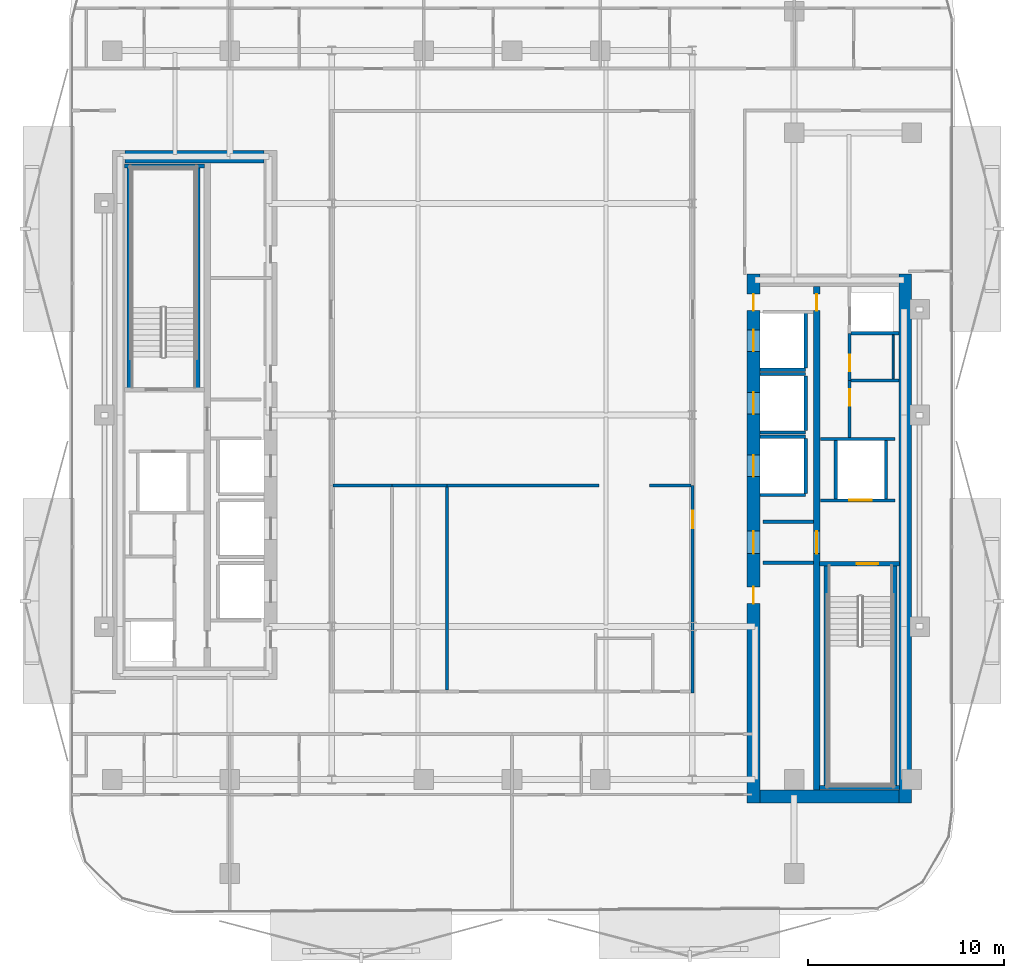
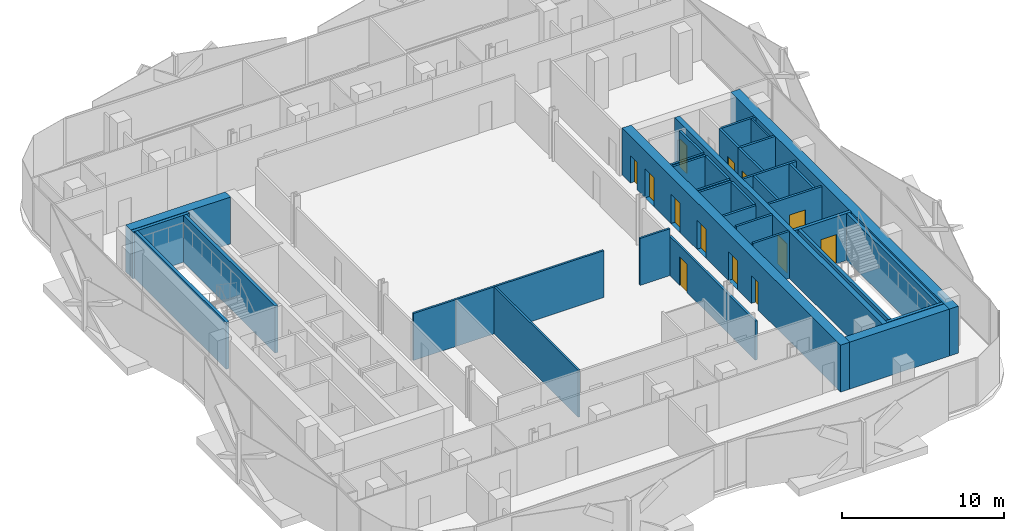
# One storey, part 5 of 17: 37 walls, 13 doors, 13 openings.
"""IFC4 building model written with IfcOpenShell, lengths in metres."""

from ifc_helpers import new_model, si_unit, direction, frame, frame_2d, origin, place, context, subcontext, project, spatial, rectangle, extrude, material, layer, layer_set, type_object, element, fill, save


model = new_model("IFC4")

# Units and contexts
model_context = context("Model", 3, precision=1e-05, world=origin(), true_north=direction((0.0, 1.0)))
body_context = subcontext(model_context, "Body", "Model", "MODEL_VIEW")
ifc_project = project(units=[si_unit("LENGTHUNIT", "METRE"), si_unit("AREAUNIT", "SQUARE_METRE"), si_unit("VOLUMEUNIT", "CUBIC_METRE"), si_unit("PLANEANGLEUNIT", "RADIAN"), si_unit("MASSUNIT", "GRAM", prefix="KILO")], contexts=[model_context])

# Site, building, storey
site_placement = place(None, origin())
site = spatial("IfcSite", under=ifc_project, at=site_placement, CompositionType="ELEMENT")
building_placement = place(site_placement, origin())
building = spatial("IfcBuilding", under=site, at=building_placement, Name="Khairoan Windgate Tower", CompositionType="ELEMENT")
storey_placement = place(building_placement, frame((0.0, 0.0, 165.0)))
storey = spatial("IfcBuildingStorey", under=building, at=storey_placement, Name="L37", CompositionType="ELEMENT", Elevation=165.0)

# Walls
ifc_material_1 = material(Name="Moisture-Resistant Gypsum Partition", Category="gypsum")
ifc_layer_1 = layer(ifc_material_1, 0.10009765625, Name="Moisture-Resistant Gypsum Partition")
ifc_layer_set_1 = layer_set([ifc_layer_1], Name="Moisture-Resistant Gypsum Partition")
wall_type_1 = type_object("IfcWallType", Name="Bathroom Wet-Area Partition Wall", PredefinedType="PARTITIONING", material=ifc_layer_set_1)
wall_1_placement = place(storey_placement, frame((19.449951171875, 4.090087890625, 0.0), z_axis=(0.0, 0.0, 1.0), x_axis=(0.0, -1.0, 0.0)))
element("IfcWall", 1, at=wall_1_placement, inside=storey, type_object=wall_type_1, Name="L37 Wet Room Side Wall 088", PredefinedType="PARTITIONING", context=body_context, shape_type="SweptSolid", body=[
    extrude(rectangle(XDim=2.239990234375, YDim=0.10009765625, at=frame_2d((1.1201171875, 0.0))), origin(), (0.0, 0.0, 1.0), 3.5400390625),
])
ifc_material_2 = material(Name="Concrete C40/50", Category="concrete")
ifc_layer_2 = layer(ifc_material_2, 0.159912109375, Name="Concrete C40/50")
ifc_layer_set_2 = layer_set([ifc_layer_2], Name="Concrete C40/50")
wall_type_2 = type_object("IfcWallType", Name="Core and Hoistway Enclosure Wall", PredefinedType="STANDARD", material=ifc_layer_set_2)
wall_2_placement = place(storey_placement, frame((12.64990234375, 2.31005859375, 0.0), z_axis=(0.0, 0.0, 1.0), x_axis=(1.0, 0.0, 0.0)))
element("IfcWall", 2, at=wall_2_placement, inside=storey, type_object=wall_type_2, Name="L37 Lift PL7 Hoistway Divider S", PredefinedType="STANDARD", context=body_context, shape_type="SweptSolid", body=[
    extrude(rectangle(XDim=2.340087890625, YDim=0.159912109375, at=frame_2d((1.169921875, 0.0))), origin(), (0.0, 0.0, 1.0), 3.5400390625),
])
wall_3_placement = place(storey_placement, frame((14.989990234375, 2.39990234375, 0.0), z_axis=(0.0, 0.0, 1.0), x_axis=(0.0, 1.0, 0.0)))
element("IfcWall", 3, at=wall_3_placement, inside=storey, type_object=wall_type_2, Name="L37 Lift PL7 Hoistway Back Wall", PredefinedType="STANDARD", context=body_context, shape_type="SweptSolid", body=[
    extrude(rectangle(XDim=2.800048828125, YDim=0.159912109375, at=frame_2d((1.39990234375, 0.0))), origin(), (0.0, 0.0, 1.0), 3.5400390625),
])
for number, where, z_axis, x_axis, name in (
    (4, (12.64990234375, -0.889892578125, 0.0), (0.0, 0.0, 1.0), (1.0, 0.0, 0.0), "L37 Lift PL8 Hoistway Divider S"),
    (5, (12.64990234375, 2.090087890625, 0.0), (0.0, 0.0, 1.0), (1.0, 0.0, 0.0), "L37 Lift PL8 Hoistway Divider N"),
):
    element("IfcWall", number, at=place(storey_placement, frame(where, z_axis=z_axis, x_axis=x_axis)), inside=storey, type_object=wall_type_2, Name=name, PredefinedType="STANDARD", context=body_context, shape_type="SweptSolid", body=[
        extrude(rectangle(XDim=2.340087890625, YDim=0.159912109375, at=frame_2d((1.169921875, 0.0))), origin(), (0.0, 0.0, 1.0), 3.5400390625),
    ])
wall_4_placement = place(storey_placement, frame((14.989990234375, -0.800048828125, 0.0), z_axis=(0.0, 0.0, 1.0), x_axis=(0.0, 1.0, 0.0)))
element("IfcWall", 6, at=wall_4_placement, inside=storey, type_object=wall_type_2, Name="L37 Lift PL8 Hoistway Back Wall", PredefinedType="STANDARD", context=body_context, shape_type="SweptSolid", body=[
    extrude(rectangle(XDim=2.800048828125, YDim=0.159912109375, at=frame_2d((1.39990234375, 0.0))), origin(), (0.0, 0.0, 1.0), 3.5400390625),
])
for number, where, z_axis, x_axis, name in (
    (7, (12.64990234375, -4.090087890625, 0.0), (0.0, 0.0, 1.0), (1.0, 0.0, 0.0), "L37 Lift PL9 Hoistway Divider S"),
    (8, (12.64990234375, -1.110107421875, 0.0), (0.0, 0.0, 1.0), (1.0, 0.0, 0.0), "L37 Lift PL9 Hoistway Divider N"),
):
    element("IfcWall", number, at=place(storey_placement, frame(where, z_axis=z_axis, x_axis=x_axis)), inside=storey, type_object=wall_type_2, Name=name, PredefinedType="STANDARD", context=body_context, shape_type="SweptSolid", body=[
        extrude(rectangle(XDim=2.340087890625, YDim=0.159912109375, at=frame_2d((1.169921875, 0.0))), origin(), (0.0, 0.0, 1.0), 3.5400390625),
    ])
wall_5_placement = place(storey_placement, frame((14.989990234375, -4.0, 0.0), z_axis=(0.0, 0.0, 1.0), x_axis=(0.0, 1.0, 0.0)))
element("IfcWall", 9, at=wall_5_placement, inside=storey, type_object=wall_type_2, Name="L37 Lift PL9 Hoistway Back Wall", PredefinedType="STANDARD", context=body_context, shape_type="SweptSolid", body=[
    extrude(rectangle(XDim=2.800048828125, YDim=0.159912109375, at=frame_2d((1.39990234375, 0.0))), origin(), (0.0, 0.0, 1.0), 3.5400390625),
])

# Wall, opening, door
wall_6_placement = place(storey_placement, frame((15.75, -4.360107421875, 0.0), z_axis=(0.0, 0.0, 1.0), x_axis=(1.0, 0.0, 0.0)))
wall_6 = element("IfcWall", 10, at=wall_6_placement, inside=storey, type_object=wall_type_2, Name="L37 Core Shaft Wall SW-FL1-L37", PredefinedType="STANDARD", context=body_context, shape_type="SweptSolid", body=[
    extrude(rectangle(XDim=3.800048828125, YDim=0.159912109375, at=frame_2d((1.89990234375, 0.0))), origin(), (0.0, 0.0, 1.0), 3.5400390625),
])
opening_1_placement = place(wall_6_placement, frame((1.469970703125, 0.0, 0.0)))
opening_1 = element("IfcOpeningElement", 11, at=opening_1_placement, cuts=wall_6, Name="Opening LD-FL", PredefinedType="OPENING", context=body_context, shape_type="SweptSolid", body=[
    extrude(rectangle(XDim=1.14990234375, YDim=2.199951171875, at=frame_2d((0.574951171875, 1.10009765625))), frame((0.0, 0.08984375, 0.0), z_axis=(0.0, -1.0, 0.0), x_axis=(1.0, 0.0, 0.0)), (0.0, 0.0, 1.0), 0.179931640625),
])
ifc_material_3 = material(Name="Steel S355", Category="steel")
door_type_1 = type_object("IfcDoorType", Name="Firefighting Lift Sliding Landing Door LD-FL 1150x2200", OperationType="DOUBLE_DOOR_SLIDING", PredefinedType="DOOR", material=ifc_material_3)
door_1_placement = place(opening_1_placement, origin())
door_1 = element("IfcDoor", 12, at=door_1_placement, inside=storey, type_object=door_type_1, Name="L37 Firefighting Lift FL1 Landing Door", OperationType="DOUBLE_DOOR_SLIDING", OverallHeight=2.199951171875, OverallWidth=1.14990234375, PredefinedType="DOOR", context=body_context, shape_type="SweptSolid", body=[
    extrude(rectangle(XDim=1.14990234375, YDim=2.199951171875, at=frame_2d((0.574951171875, 1.10009765625))), frame((0.0, 0.02490234375, 0.0), z_axis=(0.0, -1.0, 0.0), x_axis=(1.0, 0.0, 0.0)), (0.0, 0.0, 1.0), 0.050048828125),
])
fill(opening_1, door_1)

# Walls
wall_7_placement = place(storey_placement, frame((15.75, -1.219970703125, 0.0), z_axis=(0.0, 0.0, 1.0), x_axis=(1.0, 0.0, 0.0)))
element("IfcWall", 13, at=wall_7_placement, inside=storey, type_object=wall_type_2, Name="L37 Core Shaft Wall SW-FL1T-L37", PredefinedType="STANDARD", context=body_context, shape_type="SweptSolid", body=[
    extrude(rectangle(XDim=3.800048828125, YDim=0.159912109375, at=frame_2d((1.89990234375, 0.0))), origin(), (0.0, 0.0, 1.0), 3.5400390625),
])
for number, where, z_axis, x_axis, name in (
    (14, (16.52001953125, -4.280029296875, 0.0), (0.0, 0.0, 1.0), (0.0, 1.0, 0.0), "L37 Core Shaft Wall SW-FL1W-L37"),
    (15, (19.080078125, -4.280029296875, 0.0), (0.0, 0.0, 1.0), (0.0, 1.0, 0.0), "L37 Core Shaft Wall SW-FL1E-L37"),
):
    element("IfcWall", number, at=place(storey_placement, frame(where, z_axis=z_axis, x_axis=x_axis)), inside=storey, type_object=wall_type_2, Name=name, PredefinedType="STANDARD", context=body_context, shape_type="SweptSolid", body=[
        extrude(rectangle(XDim=2.97998046875, YDim=0.159912109375, at=frame_2d((1.489990234375, 0.0))), origin(), (0.0, 0.0, 1.0), 3.5400390625),
    ])
for number, where, z_axis, x_axis, name in (
    (16, (12.800048828125, -5.449951171875, 0.0), (0.0, 0.0, 1.0), (1.0, 0.0, 0.0), "L37 Core Shaft Wall SW-EV1-L37"),
    (17, (12.800048828125, -7.5400390625, 0.0), (0.0, 0.0, 1.0), (1.0, 0.0, 0.0), "L37 Core Shaft Wall SW-EV2-L37"),
):
    element("IfcWall", number, at=place(storey_placement, frame(where, z_axis=z_axis, x_axis=x_axis)), inside=storey, type_object=wall_type_2, Name=name, PredefinedType="STANDARD", context=body_context, shape_type="SweptSolid", body=[
        extrude(rectangle(XDim=2.599853515625, YDim=0.159912109375, at=frame_2d((1.2998046875, 0.0))), origin(), (0.0, 0.0, 1.0), 3.5400390625),
    ])
ifc_material_4 = material(Name="Acoustic Fire-Rated Gypsum Partition", Category="gypsum")
ifc_layer_3 = layer(ifc_material_4, 0.139892578125, Name="Acoustic Fire-Rated Gypsum Partition")
ifc_layer_set_3 = layer_set([ifc_layer_3], Name="Acoustic Fire-Rated Gypsum Partition")
wall_type_3 = type_object("IfcWallType", Name="Inter-Tenancy Compartment Wall", PredefinedType="PARTITIONING", material=ifc_layer_set_3)
wall_8_placement = place(storey_placement, frame((-9.14501953125, -3.60009765625, 0.0), z_axis=(0.0, 0.0, 1.0), x_axis=(1.0, 0.0, 0.0)))
element("IfcWall", 18, at=wall_8_placement, inside=storey, type_object=wall_type_3, Name="L37 Interior Partition 043", PredefinedType="PARTITIONING", context=body_context, shape_type="SweptSolid", body=[
    extrude(rectangle(XDim=3.02490234375, YDim=0.139892578125, at=frame_2d((1.512451171875, 0.0))), origin(), (0.0, 0.0, 1.0), 3.5400390625),
])
wall_9_placement = place(storey_placement, frame((-3.320068359375, -14.044921875, 0.0), z_axis=(0.0, 0.0, 1.0), x_axis=(0.0, 1.0, 0.0)))
element("IfcWall", 19, at=wall_9_placement, inside=storey, type_object=wall_type_3, Name="L37 Interior Partition 044", PredefinedType="PARTITIONING", context=body_context, shape_type="SweptSolid", body=[
    extrude(rectangle(XDim=10.375, YDim=0.139892578125, at=frame_2d((5.1875, 0.0))), origin(), (0.0, 0.0, 1.0), 3.5400390625),
])
wall_10_placement = place(storey_placement, frame((-6.1201171875, -3.60009765625, 0.0), z_axis=(0.0, 0.0, 1.0), x_axis=(1.0, 0.0, 0.0)))
element("IfcWall", 20, at=wall_10_placement, inside=storey, type_object=wall_type_3, Name="L37 Interior Partition 045", PredefinedType="PARTITIONING", context=body_context, shape_type="SweptSolid", body=[
    extrude(rectangle(XDim=2.800048828125, YDim=0.139892578125, at=frame_2d((1.39990234375, 0.0))), origin(), (0.0, 0.0, 1.0), 3.5400390625),
])
wall_11_placement = place(storey_placement, frame((-3.320068359375, -3.60009765625, 0.0), z_axis=(0.0, 0.0, 1.0), x_axis=(1.0, 0.0, 0.0)))
element("IfcWall", 21, at=wall_11_placement, inside=storey, type_object=wall_type_3, Name="L37 Interior Partition 047", PredefinedType="PARTITIONING", context=body_context, shape_type="SweptSolid", body=[
    extrude(rectangle(XDim=7.760009765625, YDim=0.139892578125, at=frame_2d((3.8798828125, 0.0))), origin(), (0.0, 0.0, 1.0), 3.5400390625),
])
wall_12_placement = place(storey_placement, frame((7.02001953125, -3.60009765625, 0.0), z_axis=(0.0, 0.0, 1.0), x_axis=(1.0, 0.0, 0.0)))
element("IfcWall", 22, at=wall_12_placement, inside=storey, type_object=wall_type_3, Name="L37 Interior Partition 049", PredefinedType="PARTITIONING", context=body_context, shape_type="SweptSolid", body=[
    extrude(rectangle(XDim=2.125, YDim=0.139892578125, at=frame_2d((1.0625, 0.0))), origin(), (0.0, 0.0, 1.0), 3.5400390625),
])

# Wall, opening, door
ifc_material_5 = material(Name="Concrete C40/50", Category="concrete")
ifc_layer_4 = layer(ifc_material_5, 0.159912109375, Name="Concrete C40/50")
ifc_layer_set_4 = layer_set([ifc_layer_4], Name="Concrete C40/50")
wall_type_4 = type_object("IfcWallType", Name="Plant and Refuge Compartment Wall", PredefinedType="PARTITIONING", material=ifc_layer_set_4)
wall_13_placement = place(storey_placement, frame((17.22998046875, 1.77001953125, 0.0), z_axis=(0.0, 0.0, 1.0), x_axis=(0.0, 1.0, 0.0)))
wall_13 = element("IfcWall", 23, at=wall_13_placement, inside=storey, type_object=wall_type_4, Name="L37 Interior Partition 008", PredefinedType="PARTITIONING", context=body_context, shape_type="SweptSolid", body=[
    extrude(rectangle(XDim=2.39990234375, YDim=0.159912109375, at=frame_2d((1.199951171875, 0.0))), origin(), (0.0, 0.0, 1.0), 3.5400390625),
])
opening_2_placement = place(wall_13_placement, frame((0.4599609375, 0.0, 0.0)))
opening_2 = element("IfcOpeningElement", 24, at=opening_2_placement, cuts=wall_13, Name="Opening FD-SRV", PredefinedType="OPENING", context=body_context, shape_type="SweptSolid", body=[
    extrude(rectangle(XDim=0.85009765625, YDim=2.10009765625, at=frame_2d((0.425048828125, 1.050048828125))), frame((0.0, 0.08984375, 0.0), z_axis=(0.0, -1.0, 0.0), x_axis=(1.0, 0.0, 0.0)), (0.0, 0.0, 1.0), 0.179931640625),
])
ifc_material_6 = material(Name="Steel S355", Category="steel")
door_type_2 = type_object("IfcDoorType", Name="Core Service and Riser Fire Door FD-SRV 850x2100", OperationType="NOTDEFINED", PredefinedType="DOOR", material=ifc_material_6)
door_2_placement = place(opening_2_placement, origin())
door_2 = element("IfcDoor", 25, at=door_2_placement, inside=storey, type_object=door_type_2, Name="L37 L37-18-L37-20 Door", OperationType="SINGLE_SWING_RIGHT", OverallHeight=2.10009765625, OverallWidth=0.85009765625, PredefinedType="DOOR", context=body_context, shape_type="SweptSolid", body=[
    extrude(rectangle(XDim=0.85009765625, YDim=2.10009765625, at=frame_2d((0.425048828125, 1.050048828125))), frame((0.0, 0.02490234375, 0.0), z_axis=(0.0, -1.0, 0.0), x_axis=(1.0, 0.0, 0.0)), (0.0, 0.0, 1.0), 0.050048828125),
])
fill(opening_2, door_2)

wall_14_placement = place(storey_placement, frame((17.22998046875, -1.139892578125, 0.0), z_axis=(0.0, 0.0, 1.0), x_axis=(0.0, 1.0, 0.0)))
wall_14 = element("IfcWall", 26, at=wall_14_placement, inside=storey, type_object=wall_type_4, Name="L37 Interior Partition 009", PredefinedType="PARTITIONING", context=body_context, shape_type="SweptSolid", body=[
    extrude(rectangle(XDim=2.909912109375, YDim=0.159912109375, at=frame_2d((1.455078125, 0.0))), origin(), (0.0, 0.0, 1.0), 3.5400390625),
])
opening_3_placement = place(wall_14_placement, frame((1.60009765625, 0.0, 0.0)))
opening_3 = element("IfcOpeningElement", 27, at=opening_3_placement, cuts=wall_14, Name="Opening FD-SRV", PredefinedType="OPENING", context=body_context, shape_type="SweptSolid", body=[
    extrude(rectangle(XDim=0.85009765625, YDim=2.10009765625, at=frame_2d((0.425048828125, 1.050048828125))), frame((0.0, 0.08984375, 0.0), z_axis=(0.0, -1.0, 0.0), x_axis=(1.0, 0.0, 0.0)), (0.0, 0.0, 1.0), 0.179931640625),
])
door_3_placement = place(opening_3_placement, origin())
door_3 = element("IfcDoor", 28, at=door_3_placement, inside=storey, type_object=door_type_2, Name="L37 L37-18-L37-21 Door", OperationType="SINGLE_SWING_LEFT", OverallHeight=2.10009765625, OverallWidth=0.85009765625, PredefinedType="DOOR", context=body_context, shape_type="SweptSolid", body=[
    extrude(rectangle(XDim=0.85009765625, YDim=2.10009765625, at=frame_2d((0.425048828125, 1.050048828125))), frame((0.0, 0.02490234375, 0.0), z_axis=(0.0, -1.0, 0.0), x_axis=(1.0, 0.0, 0.0)), (0.0, 0.0, 1.0), 0.050048828125),
])
fill(opening_3, door_3)

# Walls
for number, where, z_axis, x_axis, name in (
    (29, (17.31005859375, 4.169921875, 0.0), (0.0, 0.0, 1.0), (1.0, 0.0, 0.0), "L37 Interior Partition 010"),
    (30, (17.31005859375, 1.77001953125, 0.0), (0.0, 0.0, 1.0), (1.0, 0.0, 0.0), "L37 Interior Partition 011"),
):
    element("IfcWall", number, at=place(storey_placement, frame(where, z_axis=z_axis, x_axis=x_axis)), inside=storey, type_object=wall_type_4, Name=name, PredefinedType="PARTITIONING", context=body_context, shape_type="SweptSolid", body=[
        extrude(rectangle(XDim=2.43994140625, YDim=0.159912109375, at=frame_2d((1.219970703125, 0.0))), origin(), (0.0, 0.0, 1.0), 3.5400390625),
    ])

# Wall, opening, door
ifc_material_7 = material(Name="Acoustic Fire-Rated Gypsum Partition", Category="gypsum")
ifc_layer_5 = layer(ifc_material_7, 0.14990234375, Name="Acoustic Fire-Rated Gypsum Partition")
ifc_layer_set_5 = layer_set([ifc_layer_5], Name="Acoustic Fire-Rated Gypsum Partition")
wall_type_5 = type_object("IfcWallType", Name="Rated Corridor Partition Wall", PredefinedType="PARTITIONING", material=ifc_layer_set_5)
wall_15_placement = place(storey_placement, frame((9.219970703125, -14.195068359375, 0.0), z_axis=(0.0, 0.0, 1.0), x_axis=(0.0, 1.0, 0.0)))
wall_15 = element("IfcWall", 31, at=wall_15_placement, inside=storey, type_object=wall_type_5, Name="L37 Interior Partition 014", PredefinedType="PARTITIONING", context=body_context, shape_type="SweptSolid", body=[
    extrude(rectangle(XDim=10.594970703125, YDim=0.14990234375, at=frame_2d((5.29736328125, 0.0))), origin(), (0.0, 0.0, 1.0), 2.951904296875),
])
opening_4_placement = place(wall_15_placement, frame((8.418701171875, 0.0, 0.0)))
opening_4 = element("IfcOpeningElement", 32, at=opening_4_placement, cuts=wall_15, Name="Opening FD-ENT", PredefinedType="OPENING", context=body_context, shape_type="SweptSolid", body=[
    extrude(rectangle(XDim=0.89990234375, YDim=2.14990234375, at=frame_2d((0.449951171875, 1.074951171875))), frame((0.0, 0.0849609375, 0.0), z_axis=(0.0, -1.0, 0.0), x_axis=(1.0, 0.0, 0.0)), (0.0, 0.0, 1.0), 0.169921875),
])
ifc_material_8 = material(Name="Timber Fire-Rated Core", Category="wood")
door_type_3 = type_object("IfcDoorType", Name="Unit and Office Fire Entrance Door FD-ENT 900x2150", OperationType="NOTDEFINED", PredefinedType="DOOR", material=ifc_material_8)
door_4_placement = place(opening_4_placement, origin())
door_4 = element("IfcDoor", 33, at=door_4_placement, inside=storey, type_object=door_type_3, Name="L37 L37-29-L37-36 Door", OperationType="SINGLE_SWING_RIGHT", OverallHeight=2.14990234375, OverallWidth=0.89990234375, PredefinedType="DOOR", context=body_context, shape_type="SweptSolid", body=[
    extrude(rectangle(XDim=0.89990234375, YDim=2.14990234375, at=frame_2d((0.449951171875, 1.074951171875))), frame((0.0, 0.02490234375, 0.0), z_axis=(0.0, -1.0, 0.0), x_axis=(1.0, 0.0, 0.0)), (0.0, 0.0, 1.0), 0.050048828125),
])
fill(opening_4, door_4)

# Wall, openings, doors
ifc_material_9 = material(Name="Concrete C60/75", Category="concrete")
ifc_layer_6 = layer(ifc_material_9, 0.64990234375, Name="Concrete C60/75")
ifc_layer_set_6 = layer_set([ifc_layer_6], Name="Concrete C60/75")
wall_type_6 = type_object("IfcWallType", Name="Shear Wall CW-E2 650mm", PredefinedType="SHEAR", material=ifc_layer_set_6)
wall_16_placement = place(storey_placement, frame((12.324951171875, -19.800048828125, 0.0), z_axis=(0.0, 0.0, 1.0), x_axis=(0.0, 1.0, 0.0)))
wall_16 = element("IfcWall", 34, at=wall_16_placement, inside=storey, type_object=wall_type_6, Name="E Core West Shear Wall L37", PredefinedType="SHEAR", context=body_context, shape_type="SweptSolid", body=[
    extrude(rectangle(XDim=27.0, YDim=0.64990234375, at=frame_2d((13.5, 0.0))), origin(), (0.0, 0.0, 1.0), 3.5400390625),
])
opening_5_placement = place(wall_16_placement, frame((23.050048828125, 0.0, 0.0)))
opening_5 = element("IfcOpeningElement", 35, at=opening_5_placement, cuts=wall_16, Name="Opening LD-PL", PredefinedType="OPENING", context=body_context, shape_type="SweptSolid", body=[
    extrude(rectangle(XDim=1.10009765625, YDim=2.199951171875, at=frame_2d((0.550048828125, 1.10009765625))), frame((0.0, 0.3349609375, 0.0), z_axis=(0.0, -1.0, 0.0), x_axis=(1.0, 0.0, 0.0)), (0.0, 0.0, 1.0), 0.669921875),
])
opening_6_placement = place(wall_16_placement, frame((19.85009765625, 0.0, 0.0)))
opening_6 = element("IfcOpeningElement", 36, at=opening_6_placement, cuts=wall_16, Name="Opening LD-PL", PredefinedType="OPENING", context=body_context, shape_type="SweptSolid", body=[
    extrude(rectangle(XDim=1.10009765625, YDim=2.199951171875, at=frame_2d((0.550048828125, 1.10009765625))), frame((0.0, 0.3349609375, 0.0), z_axis=(0.0, -1.0, 0.0), x_axis=(1.0, 0.0, 0.0)), (0.0, 0.0, 1.0), 0.669921875),
])
opening_7_placement = place(wall_16_placement, frame((16.64990234375, 0.0, 0.0)))
opening_7 = element("IfcOpeningElement", 37, at=opening_7_placement, cuts=wall_16, Name="Opening LD-PL", PredefinedType="OPENING", context=body_context, shape_type="SweptSolid", body=[
    extrude(rectangle(XDim=1.10009765625, YDim=2.199951171875, at=frame_2d((0.550048828125, 1.10009765625))), frame((0.0, 0.3349609375, 0.0), z_axis=(0.0, -1.0, 0.0), x_axis=(1.0, 0.0, 0.0)), (0.0, 0.0, 1.0), 0.669921875),
])
opening_8_placement = place(wall_16_placement, frame((10.175048828125, 0.0, 0.0)))
opening_8 = element("IfcOpeningElement", 38, at=opening_8_placement, cuts=wall_16, Name="Opening FD-SRV", PredefinedType="OPENING", context=body_context, shape_type="SweptSolid", body=[
    extrude(rectangle(XDim=0.85009765625, YDim=2.10009765625, at=frame_2d((0.425048828125, 1.050048828125))), frame((0.0, 0.3349609375, 0.0), z_axis=(0.0, -1.0, 0.0), x_axis=(1.0, 0.0, 0.0)), (0.0, 0.0, 1.0), 0.669921875),
])
opening_9_placement = place(wall_16_placement, frame((12.72509765625, 0.0, 0.0)))
opening_9 = element("IfcOpeningElement", 39, at=opening_9_placement, cuts=wall_16, Name="Opening FD-FFL", PredefinedType="OPENING", context=body_context, shape_type="SweptSolid", body=[
    extrude(rectangle(XDim=1.14990234375, YDim=2.199951171875, at=frame_2d((0.574951171875, 1.10009765625))), frame((0.0, 0.3349609375, 0.0), z_axis=(0.0, -1.0, 0.0), x_axis=(1.0, 0.0, 0.0)), (0.0, 0.0, 1.0), 0.669921875),
])
opening_10_placement = place(wall_16_placement, frame((25.125, 0.0, 0.0)))
opening_10 = element("IfcOpeningElement", 40, at=opening_10_placement, cuts=wall_16, Name="Opening FD-SRV", PredefinedType="OPENING", context=body_context, shape_type="SweptSolid", body=[
    extrude(rectangle(XDim=0.85009765625, YDim=2.10009765625, at=frame_2d((0.425048828125, 1.050048828125))), frame((0.0, 0.3349609375, 0.0), z_axis=(0.0, -1.0, 0.0), x_axis=(1.0, 0.0, 0.0)), (0.0, 0.0, 1.0), 0.669921875),
])
door_5_placement = place(opening_8_placement, origin())
door_5 = element("IfcDoor", 41, at=door_5_placement, inside=storey, type_object=door_type_2, Name="L37 East Core Service Room Door 1", OperationType="SINGLE_SWING_LEFT", OverallHeight=2.10009765625, OverallWidth=0.85009765625, PredefinedType="DOOR", context=body_context, shape_type="SweptSolid", body=[
    extrude(rectangle(XDim=0.85009765625, YDim=2.10009765625, at=frame_2d((0.425048828125, 1.050048828125))), frame((0.0, 0.02490234375, 0.0), z_axis=(0.0, -1.0, 0.0), x_axis=(1.0, 0.0, 0.0)), (0.0, 0.0, 1.0), 0.050048828125),
])
fill(opening_8, door_5)
door_6_placement = place(opening_10_placement, origin())
door_6 = element("IfcDoor", 42, at=door_6_placement, inside=storey, type_object=door_type_2, Name="L37 East Core Service Vestibule Outer Door", OperationType="SINGLE_SWING_RIGHT", OverallHeight=2.10009765625, OverallWidth=0.85009765625, PredefinedType="DOOR", context=body_context, shape_type="SweptSolid", body=[
    extrude(rectangle(XDim=0.85009765625, YDim=2.10009765625, at=frame_2d((0.425048828125, 1.050048828125))), frame((0.0, 0.02490234375, 0.0), z_axis=(0.0, -1.0, 0.0), x_axis=(1.0, 0.0, 0.0)), (0.0, 0.0, 1.0), 0.050048828125),
])
fill(opening_10, door_6)
ifc_material_10 = material(Name="Steel S355", Category="steel")
door_type_4 = type_object("IfcDoorType", Name="Firefighting Lobby Fire Door FD-FFL 1150x2200", OperationType="NOTDEFINED", PredefinedType="DOOR", material=ifc_material_10)
door_7_placement = place(opening_9_placement, origin())
door_7 = element("IfcDoor", 43, at=door_7_placement, inside=storey, type_object=door_type_4, Name="L37 East Core Vestibule Entry Door", OperationType="SINGLE_SWING_RIGHT", OverallHeight=2.199951171875, OverallWidth=1.14990234375, PredefinedType="DOOR", context=body_context, shape_type="SweptSolid", body=[
    extrude(rectangle(XDim=1.14990234375, YDim=2.199951171875, at=frame_2d((0.574951171875, 1.10009765625))), frame((0.0, 0.02490234375, 0.0), z_axis=(0.0, -1.0, 0.0), x_axis=(1.0, 0.0, 0.0)), (0.0, 0.0, 1.0), 0.050048828125),
])
fill(opening_9, door_7)
ifc_material_11 = material(Name="Anodised Bronze Aluminium 6063-T6", Category="aluminium")
door_type_5 = type_object("IfcDoorType", Name="Passenger Lift Sliding Landing Door LD-PL 1100x2200", OperationType="DOUBLE_DOOR_SLIDING", PredefinedType="DOOR", material=ifc_material_11)
door_8_placement = place(opening_5_placement, origin())
door_8 = element("IfcDoor", 44, at=door_8_placement, inside=storey, type_object=door_type_5, Name="L37 Lift PL7 Sliding Landing Door", OperationType="DOUBLE_DOOR_SLIDING", OverallHeight=2.199951171875, OverallWidth=1.10009765625, PredefinedType="DOOR", context=body_context, shape_type="SweptSolid", body=[
    extrude(rectangle(XDim=1.10009765625, YDim=2.199951171875, at=frame_2d((0.550048828125, 1.10009765625))), frame((0.0, 0.02490234375, 0.0), z_axis=(0.0, -1.0, 0.0), x_axis=(1.0, 0.0, 0.0)), (0.0, 0.0, 1.0), 0.050048828125),
])
fill(opening_5, door_8)
door_9_placement = place(opening_6_placement, origin())
door_9 = element("IfcDoor", 45, at=door_9_placement, inside=storey, type_object=door_type_5, Name="L37 Lift PL8 Sliding Landing Door", OperationType="DOUBLE_DOOR_SLIDING", OverallHeight=2.199951171875, OverallWidth=1.10009765625, PredefinedType="DOOR", context=body_context, shape_type="SweptSolid", body=[
    extrude(rectangle(XDim=1.10009765625, YDim=2.199951171875, at=frame_2d((0.550048828125, 1.10009765625))), frame((0.0, 0.02490234375, 0.0), z_axis=(0.0, -1.0, 0.0), x_axis=(1.0, 0.0, 0.0)), (0.0, 0.0, 1.0), 0.050048828125),
])
fill(opening_6, door_9)
door_10_placement = place(opening_7_placement, origin())
door_10 = element("IfcDoor", 46, at=door_10_placement, inside=storey, type_object=door_type_5, Name="L37 Lift PL9 Sliding Landing Door", OperationType="DOUBLE_DOOR_SLIDING", OverallHeight=2.199951171875, OverallWidth=1.10009765625, PredefinedType="DOOR", context=body_context, shape_type="SweptSolid", body=[
    extrude(rectangle(XDim=1.10009765625, YDim=2.199951171875, at=frame_2d((0.550048828125, 1.10009765625))), frame((0.0, 0.02490234375, 0.0), z_axis=(0.0, -1.0, 0.0), x_axis=(1.0, 0.0, 0.0)), (0.0, 0.0, 1.0), 0.050048828125),
])
fill(opening_7, door_10)

# Walls
wall_17_placement = place(storey_placement, frame((20.074951171875, -19.800048828125, 0.0), z_axis=(0.0, 0.0, 1.0), x_axis=(0.0, 1.0, 0.0)))
element("IfcWall", 47, at=wall_17_placement, inside=storey, type_object=wall_type_6, Name="E Core East Shear Wall L37", PredefinedType="SHEAR", context=body_context, shape_type="SweptSolid", body=[
    extrude(rectangle(XDim=27.0, YDim=0.64990234375, at=frame_2d((13.5, 0.0))), origin(), (0.0, 0.0, 1.0), 3.5400390625),
])
wall_18_placement = place(storey_placement, frame((12.64990234375, -19.47509765625, 0.0), z_axis=(0.0, 0.0, 1.0), x_axis=(1.0, 0.0, 0.0)))
element("IfcWall", 48, at=wall_18_placement, inside=storey, type_object=wall_type_6, Name="E Core South Shear Wall L37", PredefinedType="SHEAR", context=body_context, shape_type="SweptSolid", body=[
    extrude(rectangle(XDim=7.10009765625, YDim=0.64990234375, at=frame_2d((3.550048828125, 0.0))), origin(), (0.0, 0.0, 1.0), 3.5400390625),
])
ifc_material_12 = material(Name="Concrete C60/75", Category="concrete")
ifc_layer_7 = layer(ifc_material_12, 0.64990234375, Name="Concrete C60/75")
ifc_layer_set_7 = layer_set([ifc_layer_7], Name="Concrete C60/75")
wall_type_7 = type_object("IfcWallType", Name="Shear Wall CW-W2 650mm", PredefinedType="SHEAR", material=ifc_layer_set_7)
wall_19_placement = place(storey_placement, frame((-19.75, 13.175048828125, 0.0), z_axis=(0.0, 0.0, 1.0), x_axis=(1.0, 0.0, 0.0)))
element("IfcWall", 49, at=wall_19_placement, inside=storey, type_object=wall_type_7, Name="W Core North Shear Wall L37", PredefinedType="SHEAR", context=body_context, shape_type="SweptSolid", body=[
    extrude(rectangle(XDim=7.10009765625, YDim=0.64990234375, at=frame_2d((3.550048828125, 0.0))), origin(), (0.0, 0.0, 1.0), 3.5400390625),
])

# Wall, openings, doors
ifc_material_13 = material(Name="Concrete C60/75", Category="concrete")
ifc_layer_8 = layer(ifc_material_13, 0.35009765625, Name="Concrete C60/75")
ifc_layer_set_8 = layer_set([ifc_layer_8], Name="Concrete C60/75")
wall_type_8 = type_object("IfcWallType", Name="Shear Wall SW-1 350mm", PredefinedType="SHEAR", material=ifc_layer_set_8)
wall_20_placement = place(storey_placement, frame((15.550048828125, -19.14990234375, 0.0), z_axis=(0.0, 0.0, 1.0), x_axis=(0.0, 1.0, 0.0)))
wall_20 = element("IfcWall", 50, at=wall_20_placement, inside=storey, type_object=wall_type_8, Name="E Core Spine Shear Wall L37", PredefinedType="SHEAR", context=body_context, shape_type="SweptSolid", body=[
    extrude(rectangle(XDim=25.699951171875, YDim=0.35009765625, at=frame_2d((12.85009765625, 0.0))), origin(), (0.0, 0.0, 1.0), 3.5400390625),
])
opening_11_placement = place(wall_20_placement, frame((12.074951171875, 0.0, 0.0)))
opening_11 = element("IfcOpeningElement", 51, at=opening_11_placement, cuts=wall_20, Name="Opening FD-FFL", PredefinedType="OPENING", context=body_context, shape_type="SweptSolid", body=[
    extrude(rectangle(XDim=1.14990234375, YDim=2.199951171875, at=frame_2d((0.574951171875, 1.10009765625))), frame((0.0, 0.18505859375, 0.0), z_axis=(0.0, -1.0, 0.0), x_axis=(1.0, 0.0, 0.0)), (0.0, 0.0, 1.0), 0.3701171875),
])
opening_12_placement = place(wall_20_placement, frame((24.47509765625, 0.0, 0.0)))
opening_12 = element("IfcOpeningElement", 52, at=opening_12_placement, cuts=wall_20, Name="Opening FD-SRV", PredefinedType="OPENING", context=body_context, shape_type="SweptSolid", body=[
    extrude(rectangle(XDim=0.85009765625, YDim=2.10009765625, at=frame_2d((0.425048828125, 1.050048828125))), frame((0.0, 0.18505859375, 0.0), z_axis=(0.0, -1.0, 0.0), x_axis=(1.0, 0.0, 0.0)), (0.0, 0.0, 1.0), 0.3701171875),
])
door_11_placement = place(opening_12_placement, origin())
door_11 = element("IfcDoor", 53, at=door_11_placement, inside=storey, type_object=door_type_2, Name="L37 East Core Service Passage Inner Door", OperationType="SINGLE_SWING_LEFT", OverallHeight=2.10009765625, OverallWidth=0.85009765625, PredefinedType="DOOR", context=body_context, shape_type="SweptSolid", body=[
    extrude(rectangle(XDim=0.85009765625, YDim=2.10009765625, at=frame_2d((0.425048828125, 1.050048828125))), frame((0.0, 0.02490234375, 0.0), z_axis=(0.0, -1.0, 0.0), x_axis=(1.0, 0.0, 0.0)), (0.0, 0.0, 1.0), 0.050048828125),
])
fill(opening_12, door_11)
door_12_placement = place(opening_11_placement, origin())
door_12 = element("IfcDoor", 54, at=door_12_placement, inside=storey, type_object=door_type_4, Name="L37 East Firefighting Lobby Fire Door", OperationType="SINGLE_SWING_LEFT", OverallHeight=2.199951171875, OverallWidth=1.14990234375, PredefinedType="DOOR", context=body_context, shape_type="SweptSolid", body=[
    extrude(rectangle(XDim=1.14990234375, YDim=2.199951171875, at=frame_2d((0.574951171875, 1.10009765625))), frame((0.0, 0.02490234375, 0.0), z_axis=(0.0, -1.0, 0.0), x_axis=(1.0, 0.0, 0.0)), (0.0, 0.0, 1.0), 0.050048828125),
])
fill(opening_11, door_12)

# Walls
ifc_material_14 = material(Name="Concrete C50/60", Category="concrete")
ifc_layer_9 = layer(ifc_material_14, 0.219970703125, Name="Concrete C50/60")
ifc_layer_set_9 = layer_set([ifc_layer_9], Name="Concrete C50/60")
wall_type_9 = type_object("IfcWallType", Name="Shear Wall SW-ST 220mm", PredefinedType="SHEAR", material=ifc_layer_set_9)
for number, where, z_axis, x_axis, name in (
    (55, (16.0400390625, -19.010009765625, 0.0), (0.0, 0.0, 1.0), (0.0, 1.0, 0.0), "L37 Stair ST1 West Bearing Wall"),
    (56, (19.530029296875, -19.010009765625, 0.0), (0.0, 0.0, 1.0), (0.0, 1.0, 0.0), "L37 Stair ST1 East Bearing Wall"),
):
    element("IfcWall", number, at=place(storey_placement, frame(where, z_axis=z_axis, x_axis=x_axis)), inside=storey, type_object=wall_type_9, Name=name, PredefinedType="SHEAR", context=body_context, shape_type="SweptSolid", body=[
        extrude(rectangle(XDim=11.419921875, YDim=0.219970703125, at=frame_2d((5.7099609375, 0.0))), origin(), (0.0, 0.0, 1.0), 3.5400390625),
    ])
wall_21_placement = place(storey_placement, frame((15.705078125, -19.010009765625, 0.0), z_axis=(0.0, 0.0, 1.0), x_axis=(1.0, 0.0, 0.0)))
element("IfcWall", 57, at=wall_21_placement, inside=storey, type_object=wall_type_9, Name="L37 Stair ST1 South Bearing Wall", PredefinedType="SHEAR", context=body_context, shape_type="SweptSolid", body=[
    extrude(rectangle(XDim=4.06494140625, YDim=0.219970703125, at=frame_2d((2.032470703125, 0.0))), origin(), (0.0, 0.0, 1.0), 3.5400390625),
])

# Wall, opening, door
wall_22_placement = place(storey_placement, frame((19.77001953125, -7.590087890625, 0.0), z_axis=(0.0, 0.0, 1.0), x_axis=(-1.0, 0.0, 0.0)))
wall_22 = element("IfcWall", 58, at=wall_22_placement, inside=storey, type_object=wall_type_9, Name="L37 Stair ST1 North Bearing Wall", PredefinedType="SHEAR", context=body_context, shape_type="SweptSolid", body=[
    extrude(rectangle(XDim=4.06494140625, YDim=0.219970703125, at=frame_2d((2.032470703125, 0.0))), origin(), (0.0, 0.0, 1.0), 3.5400390625),
])
opening_13_placement = place(wall_22_placement, frame((1.080078125, 0.0, 0.0)))
opening_13 = element("IfcOpeningElement", 59, at=opening_13_placement, cuts=wall_22, Name="Opening FD-ST", PredefinedType="OPENING", context=body_context, shape_type="SweptSolid", body=[
    extrude(rectangle(XDim=1.10009765625, YDim=2.199951171875, at=frame_2d((0.550048828125, 1.10009765625))), frame((0.0, 0.119873046875, 0.0), z_axis=(0.0, -1.0, 0.0), x_axis=(1.0, 0.0, 0.0)), (0.0, 0.0, 1.0), 0.239990234375),
])
ifc_material_15 = material(Name="Steel S355", Category="steel")
door_type_6 = type_object("IfcDoorType", Name="Smokeproof Stair Fire Door FD-ST 1100x2200", OperationType="NOTDEFINED", PredefinedType="DOOR", material=ifc_material_15)
door_13_placement = place(opening_13_placement, origin())
door_13 = element("IfcDoor", 60, at=door_13_placement, inside=storey, type_object=door_type_6, Name="L37 Stair ST1 Fire Door", OperationType="SINGLE_SWING_LEFT", OverallHeight=2.199951171875, OverallWidth=1.10009765625, PredefinedType="DOOR", context=body_context, shape_type="SweptSolid", body=[
    extrude(rectangle(XDim=1.10009765625, YDim=2.199951171875, at=frame_2d((0.550048828125, 1.10009765625))), frame((0.0, 0.02490234375, 0.0), z_axis=(0.0, -1.0, 0.0), x_axis=(1.0, 0.0, 0.0)), (0.0, 0.0, 1.0), 0.050048828125),
])
fill(opening_13, door_13)

# Walls
for number, where, z_axis, x_axis, name in (
    (61, (-16.0400390625, 1.2900390625, 0.0), (0.0, 0.0, 1.0), (0.0, 1.0, 0.0), "L37 Stair ST2 East Bearing Wall"),
    (62, (-19.530029296875, 1.2900390625, 0.0), (0.0, 0.0, 1.0), (0.0, 1.0, 0.0), "L37 Stair ST2 West Bearing Wall"),
):
    element("IfcWall", number, at=place(storey_placement, frame(where, z_axis=z_axis, x_axis=x_axis)), inside=storey, type_object=wall_type_9, Name=name, PredefinedType="SHEAR", context=body_context, shape_type="SweptSolid", body=[
        extrude(rectangle(XDim=11.419921875, YDim=0.219970703125, at=frame_2d((5.7099609375, 0.0))), origin(), (0.0, 0.0, 1.0), 3.5400390625),
    ])
wall_23_placement = place(storey_placement, frame((-19.77001953125, 12.7099609375, 0.0), z_axis=(0.0, 0.0, 1.0), x_axis=(1.0, 0.0, 0.0)))
element("IfcWall", 63, at=wall_23_placement, inside=storey, type_object=wall_type_9, Name="L37 Stair ST2 North Bearing Wall", PredefinedType="SHEAR", context=body_context, shape_type="SweptSolid", body=[
    extrude(rectangle(XDim=4.06494140625, YDim=0.219970703125, at=frame_2d((2.032470703125, 0.0))), origin(), (0.0, 0.0, 1.0), 3.5400390625),
])

save(model, "model.ifc")
